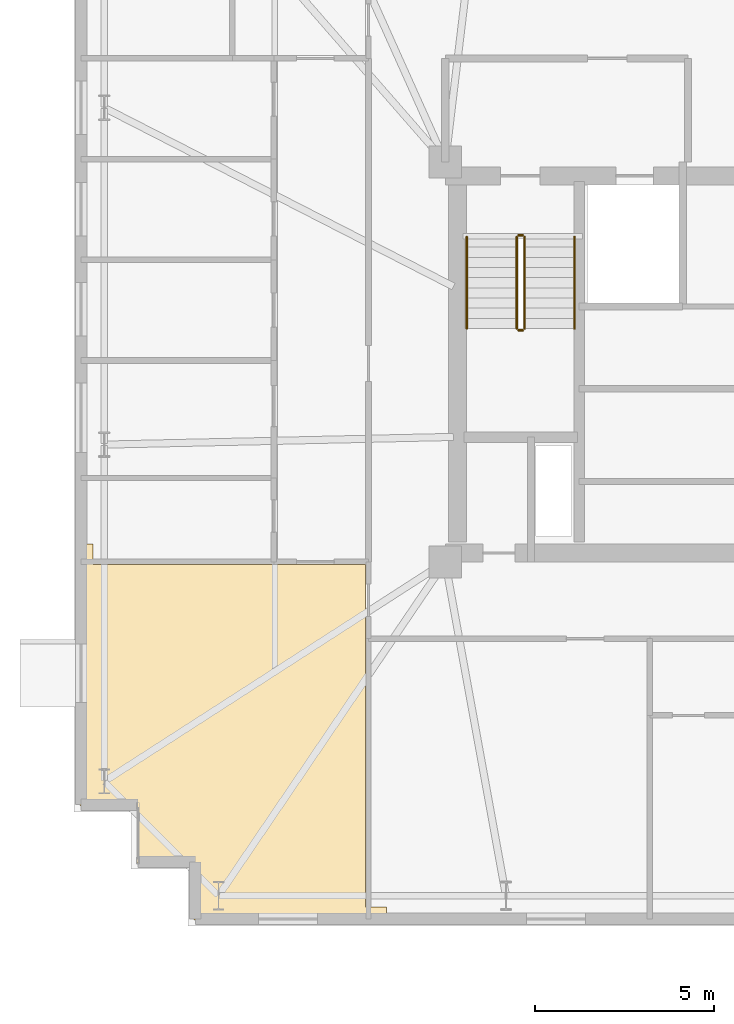
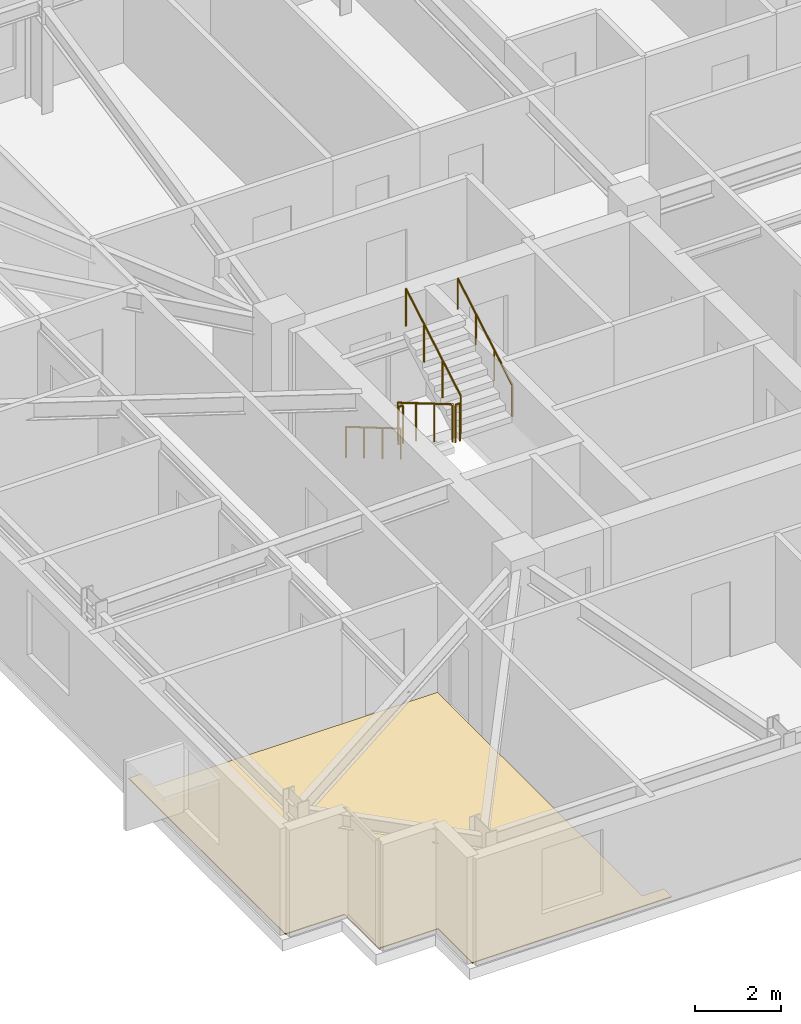
# One storey, part 17 of 19: 6 railings, 1 covering.
"""IFC4 building model written with IfcOpenShell, lengths in metres."""

from ifc_helpers import new_model, si_unit, direction, frame, origin, origin_2d, place, context, subcontext, project, spatial, polyline, circle, outline, extrude, material, layer, layer_set, type_object, element, save


model = new_model("IFC4")

# Units and contexts
model_context = context("Model", 3, precision=1e-05, world=origin(), true_north=direction((0.0, 1.0)))
body_context = subcontext(model_context, "Body", "Model", "MODEL_VIEW")
ifc_project = project(units=[si_unit("LENGTHUNIT", "METRE"), si_unit("AREAUNIT", "SQUARE_METRE"), si_unit("VOLUMEUNIT", "CUBIC_METRE"), si_unit("PLANEANGLEUNIT", "RADIAN"), si_unit("MASSUNIT", "GRAM", prefix="KILO")], contexts=[model_context])

# Site, building, storey
site_placement = place(None, origin())
site = spatial("IfcSite", under=ifc_project, at=site_placement, CompositionType="ELEMENT")
building_placement = place(site_placement, origin())
building = spatial("IfcBuilding", under=site, at=building_placement, Name="Qobustan Lattice House", CompositionType="ELEMENT")
storey_placement = place(building_placement, frame((0.0, 0.0, 137.699951171875)))
storey = spatial("IfcBuildingStorey", under=building, at=storey_placement, Name="L38", CompositionType="ELEMENT", Elevation=137.699951171875)

# Covering
ifc_material_1 = material(Name="Honed Absheron stone terrazzo flooring", Category="masonry")
ifc_layer = layer(ifc_material_1, 0.02490234375)
ifc_layer_set = layer_set([ifc_layer], Name="Honed Absheron stone terrazzo flooring")
covering_type = type_object("IfcCoveringType", Name="COV-TERRAZZO-FLR", PredefinedType="FLOORING", material=ifc_layer_set)
covering_placement = place(storey_placement, origin())
element("IfcCovering", 1, at=covering_placement, inside=storey, type_object=covering_type, Name="L38 Reading study room L38WS stone terrazzo flooring", PredefinedType="FLOORING", context=body_context, shape_type="SweptSolid", body=[
    extrude(outline(polyline([(-25.830078125, -15.6298828125), (-20.449951171875, -15.6298828125), (-20.449951171875, -15.260009765625), (-21.030029296875, -15.260009765625), (-21.030029296875, -5.679931640625), (-28.659912109375, -5.679931640625), (-28.659912109375, -5.10009765625), (-29.030029296875, -5.10009765625), (-29.030029296875, -12.429931640625), (-27.429931640625, -12.429931640625), (-27.429931640625, -14.030029296875), (-25.830078125, -14.030029296875), (-25.830078125, -15.6298828125)])), origin(), (0.0, 0.0, 1.0), 0.025146484375),
])

# Railings
ifc_material_2 = material(Name="Brushed stainless steel handrail", Category="steel")
railing_type_1 = type_object("IfcRailingType", Name="RAL-HR-920", PredefinedType="HANDRAIL", material=ifc_material_2)
railing_1_placement = place(storey_placement, frame((-18.199951171875, 3.5, 0.16748046875)))
element("IfcRailing", 2, at=railing_1_placement, inside=storey, type_object=railing_type_1, Name="L38 ST-W1 stair handrail 1", PredefinedType="HANDRAIL", context=body_context, shape_type="SweptSolid", body=[
    extrude(circle(Radius=0.02392578125, at=origin_2d()), frame((0.0, 0.0, 0.8759765625), z_axis=(0.0, -0.862113467892, 0.50671527358), x_axis=(1.0, 0.0, 0.0)), (0.0, 0.0, 1.0), 2.97509765625),
    extrude(circle(Radius=0.02099609375, at=origin_2d()), origin(), (0.0, 0.0, 1.0), 0.851806640625),
    extrude(circle(Radius=0.02099609375, at=origin_2d()), frame((0.0, -0.85498046875, 0.50244140625)), (0.0, 0.0, 1.0), 0.851806640625),
    extrude(circle(Radius=0.02099609375, at=origin_2d()), frame((0.0, -1.7099609375, 1.005126953125)), (0.0, 0.0, 1.0), 0.851806640625),
    extrude(circle(Radius=0.02099609375, at=origin_2d()), frame((0.0, -2.56494140625, 1.507568359375)), (0.0, 0.0, 1.0), 0.851806640625),
])
railing_2_placement = place(storey_placement, frame((-15.179931640625, 0.93505859375, 1.842529296875)))
element("IfcRailing", 3, at=railing_2_placement, inside=storey, type_object=railing_type_1, Name="L38 ST-W1 stair handrail 2", PredefinedType="HANDRAIL", context=body_context, shape_type="SweptSolid", body=[
    extrude(circle(Radius=0.02392578125, at=origin_2d()), frame((0.0, 0.0, 0.8759765625), z_axis=(0.0, 0.862113467892, 0.50671527358), x_axis=(-1.0, 0.0, 0.0)), (0.0, 0.0, 1.0), 2.97509765625),
    extrude(circle(Radius=0.02099609375, at=origin_2d()), origin(), (0.0, 0.0, 1.0), 0.851806640625),
    extrude(circle(Radius=0.02099609375, at=origin_2d()), frame((0.0, 0.85498046875, 0.50244140625)), (0.0, 0.0, 1.0), 0.851806640625),
    extrude(circle(Radius=0.02099609375, at=origin_2d()), frame((0.0, 1.7099609375, 1.005126953125)), (0.0, 0.0, 1.0), 0.851806640625),
    extrude(circle(Radius=0.02099609375, at=origin_2d()), frame((0.0, 2.56494140625, 1.507568359375)), (0.0, 0.0, 1.0), 0.851806640625),
])
ifc_material_3 = material(Name="Painted galvanized steel guardrail", Category="steel")
railing_type_2 = type_object("IfcRailingType", Name="RAL-STG-1150", PredefinedType="GUARDRAIL", material=ifc_material_3)
railing_3_placement = place(storey_placement, frame((-16.800048828125, 3.5, 0.16748046875)))
element("IfcRailing", 4, at=railing_3_placement, inside=storey, type_object=railing_type_2, Name="L38 ST-W1 stair guard 1", PredefinedType="GUARDRAIL", context=body_context, shape_type="SweptSolid", body=[
    extrude(circle(Radius=0.02392578125, at=origin_2d()), frame((0.0, 0.0, 1.076171875), z_axis=(0.0, -0.862113467892, 0.50671527358), x_axis=(1.0, 0.0, 0.0)), (0.0, 0.0, 1.0), 2.97509765625),
    extrude(circle(Radius=0.02099609375, at=origin_2d()), origin(), (0.0, 0.0, 1.0), 1.052001953125),
    extrude(circle(Radius=0.02099609375, at=origin_2d()), frame((0.0, -0.85498046875, 0.50244140625)), (0.0, 0.0, 1.0), 1.052001953125),
    extrude(circle(Radius=0.02099609375, at=origin_2d()), frame((0.0, -1.7099609375, 1.005126953125)), (0.0, 0.0, 1.0), 1.052001953125),
    extrude(circle(Radius=0.02099609375, at=origin_2d()), frame((0.0, -2.56494140625, 1.507568359375)), (0.0, 0.0, 1.0), 1.052001953125),
])
railing_4_placement = place(storey_placement, frame((-16.75, 0.885009765625, 1.675048828125)))
element("IfcRailing", 5, at=railing_4_placement, inside=storey, type_object=railing_type_2, Name="L38 ST-W1 stair guard 2", PredefinedType="GUARDRAIL", context=body_context, shape_type="SweptSolid", body=[
    extrude(circle(Radius=0.02392578125, at=origin_2d()), frame((0.0, 0.0, 1.076171875), z_axis=(1.0, 0.0, 0.0), x_axis=(0.0, 1.0, 0.0)), (0.0, 0.0, 1.0), 0.1201171875),
    extrude(circle(Radius=0.02099609375, at=origin_2d()), origin(), (0.0, 0.0, 1.0), 1.052001953125),
    extrude(circle(Radius=0.02099609375, at=origin_2d()), frame((0.1201171875, 0.0, 0.0)), (0.0, 0.0, 1.0), 1.052001953125),
])
railing_5_placement = place(storey_placement, frame((-16.580078125, 0.93505859375, 1.842529296875)))
element("IfcRailing", 6, at=railing_5_placement, inside=storey, type_object=railing_type_2, Name="L38 ST-W1 stair guard 3", PredefinedType="GUARDRAIL", context=body_context, shape_type="SweptSolid", body=[
    extrude(circle(Radius=0.02392578125, at=origin_2d()), frame((0.0, 0.0, 1.076171875), z_axis=(0.0, 0.862113467892, 0.50671527358), x_axis=(-1.0, 0.0, 0.0)), (0.0, 0.0, 1.0), 2.97509765625),
    extrude(circle(Radius=0.02099609375, at=origin_2d()), origin(), (0.0, 0.0, 1.0), 1.052001953125),
    extrude(circle(Radius=0.02099609375, at=origin_2d()), frame((0.0, 0.85498046875, 0.50244140625)), (0.0, 0.0, 1.0), 1.052001953125),
    extrude(circle(Radius=0.02099609375, at=origin_2d()), frame((0.0, 1.7099609375, 1.005126953125)), (0.0, 0.0, 1.0), 1.052001953125),
    extrude(circle(Radius=0.02099609375, at=origin_2d()), frame((0.0, 2.56494140625, 1.507568359375)), (0.0, 0.0, 1.0), 1.052001953125),
])
railing_6_placement = place(storey_placement, frame((-16.75, 3.550048828125, 0.0)))
element("IfcRailing", 7, at=railing_6_placement, inside=storey, type_object=railing_type_2, Name="L38 ST-W1 stair guard 4", PredefinedType="GUARDRAIL", context=body_context, shape_type="SweptSolid", body=[
    extrude(circle(Radius=0.02392578125, at=origin_2d()), frame((0.0, 0.0, 1.076171875), z_axis=(1.0, 0.0, 0.0), x_axis=(0.0, 1.0, 0.0)), (0.0, 0.0, 1.0), 0.1201171875),
    extrude(circle(Radius=0.02099609375, at=origin_2d()), origin(), (0.0, 0.0, 1.0), 1.052001953125),
    extrude(circle(Radius=0.02099609375, at=origin_2d()), frame((0.1201171875, 0.0, 0.0)), (0.0, 0.0, 1.0), 1.052001953125),
])

save(model, "model.ifc")
